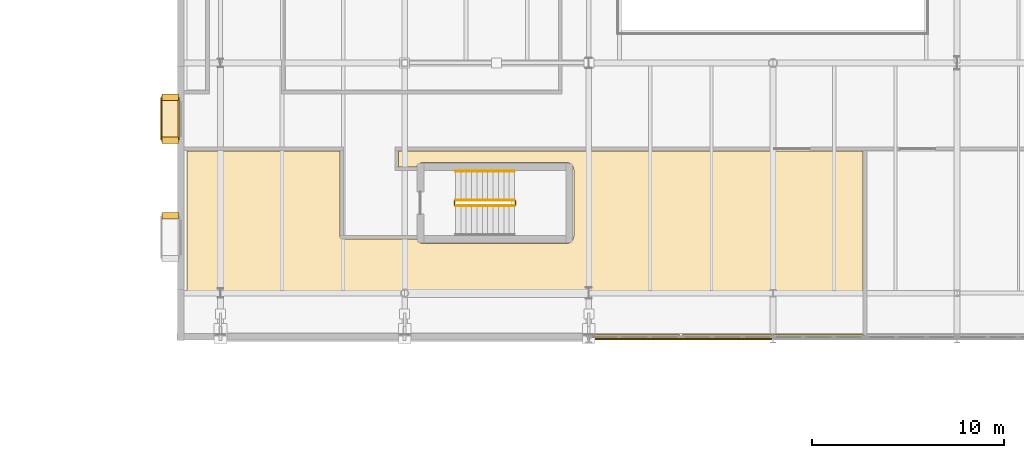
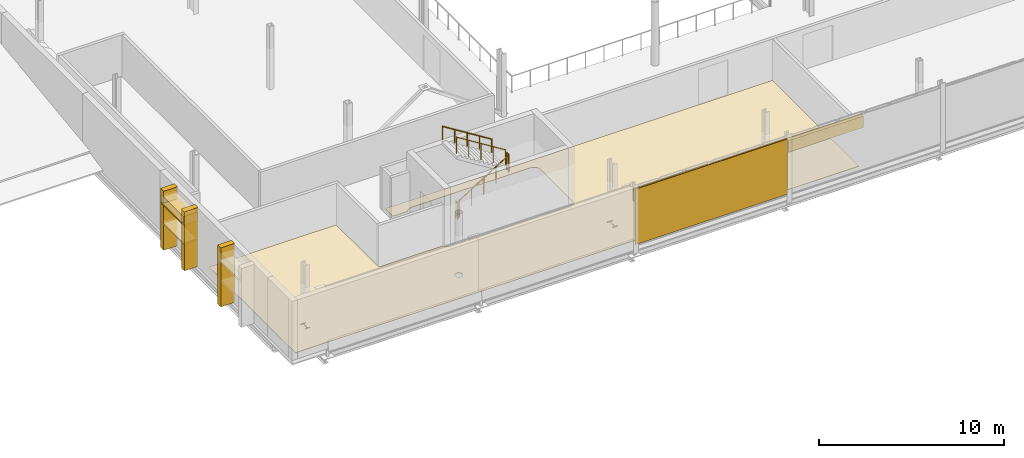
# One storey, part 77 of 90: 9 coverings, 5 railings, 2 shading devices.
"""IFC4 building model written with IfcOpenShell, lengths in metres."""

from ifc_helpers import new_model, si_unit, direction, frame, origin, origin_2d, place, context, subcontext, project, spatial, polyline, rectangle, circle, outline, extrude, material, layer, layer_set, type_object, element, save


model = new_model("IFC4")

# Units and contexts
model_context = context("Model", 3, precision=1e-05, world=origin(), true_north=direction((0.0, 1.0)))
body_context = subcontext(model_context, "Body", "Model", "MODEL_VIEW")
ifc_project = project(units=[si_unit("LENGTHUNIT", "METRE"), si_unit("AREAUNIT", "SQUARE_METRE"), si_unit("VOLUMEUNIT", "CUBIC_METRE"), si_unit("PLANEANGLEUNIT", "RADIAN"), si_unit("MASSUNIT", "GRAM", prefix="KILO")], contexts=[model_context])

# Site, building, storey
site_placement = place(None, origin())
site = spatial("IfcSite", under=ifc_project, at=site_placement, CompositionType="ELEMENT")
building_placement = place(site_placement, origin())
building = spatial("IfcBuilding", under=site, at=building_placement, Name="Zereglee Splitstone Museum", CompositionType="ELEMENT")
storey_placement = place(building_placement, frame((0.0, 0.0, 4.800048828125)))
storey = spatial("IfcBuildingStorey", under=building, at=storey_placement, Name="L01", CompositionType="ELEMENT", Elevation=4.800048828125)

# Coverings
ifc_material_1 = material(Name="Honed Gobi pale limestone stringcourse and soffit cladding", Category="masonry")
ifc_layer_1 = layer(ifc_material_1, 0.070068359375)
ifc_layer_set_1 = layer_set([ifc_layer_1], Name="Honed Gobi pale limestone stringcourse and soffit cladding")
covering_type_1 = type_object("IfcCoveringType", Name="CL-02", PredefinedType="CLADDING", material=ifc_layer_set_1)
for number, where, z_axis, x_axis, name in (
    (1, (75.375, 19.81005859375, 0.0), (0.0, 0.0, 1.0), (0.0, -1.0, 0.0), "Mughal Window Reveal Stone Pilaster L01-0034L"),
    (2, (75.375, 17.570068359375, 0.0), (0.0, 0.0, 1.0), (0.0, -1.0, 0.0), "Mughal Window Reveal Stone Pilaster L01-0034R"),
):
    element("IfcCovering", number, at=place(storey_placement, frame(where, z_axis=z_axis, x_axis=x_axis)), inside=storey, type_object=covering_type_1, Name=name, PredefinedType="CLADDING", context=body_context, shape_type="SweptSolid", body=[
        extrude(rectangle(XDim=0.340087890625, YDim=0.860107421875, at=origin_2d()), origin(), (0.0, 0.0, 1.0), 3.89990234375),
    ])
covering_1_placement = place(storey_placement, frame((75.364990234375, 18.68994140625, 1.659912109375), z_axis=(0.0, 0.0, 1.0), x_axis=(0.0, -1.0, 0.0)))
element("IfcCovering", 3, at=covering_1_placement, inside=storey, type_object=covering_type_1, Name="Carved Limestone Window Sill L01-0034", PredefinedType="CLADDING", context=body_context, shape_type="SweptSolid", body=[
    extrude(rectangle(XDim=2.43994140625, YDim=0.840087890625, at=origin_2d()), origin(), (0.0, 0.0, 1.0), 0.1201171875),
])
covering_2_placement = place(storey_placement, frame((75.375, 13.6298828125, 0.0), z_axis=(0.0, 0.0, 1.0), x_axis=(0.0, -1.0, 0.0)))
element("IfcCovering", 4, at=covering_2_placement, inside=storey, type_object=covering_type_1, Name="Mughal Window Reveal Stone Pilaster L01-0035L", PredefinedType="CLADDING", context=body_context, shape_type="SweptSolid", body=[
    extrude(rectangle(XDim=0.340087890625, YDim=0.860107421875, at=origin_2d()), origin(), (0.0, 0.0, 1.0), 3.89990234375),
])
for number, where, z_axis, x_axis, name in (
    (5, (99.580078125, 7.320068359375, 2.925048828125), (0.0, 0.0, 1.0), (1.0, 0.0, 0.0), "Mughal Carved Clerestory Jaali Frieze RC4-CW-L01-099-1"),
    (6, (104.419921875, 7.320068359375, 2.905029296875), (0.0, 0.0, 1.0), (1.0, 0.0, 0.0), "Mughal Carved Clerestory Jaali Frieze RC4-CW-L01-099-2"),
    (7, (109.179931640625, 7.320068359375, 2.864990234375), (0.0, 0.0, 1.0), (1.0, 0.0, 0.0), "Mughal Carved Clerestory Jaali Frieze RC4-CW-L01-100-1"),
):
    element("IfcCovering", number, at=place(storey_placement, frame(where, z_axis=z_axis, x_axis=x_axis)), inside=storey, type_object=covering_type_1, Name=name, PredefinedType="CLADDING", context=body_context, shape_type="SweptSolid", body=[
        extrude(rectangle(XDim=4.679931640625, YDim=0.239990234375, at=origin_2d()), origin(), (0.0, 0.0, 1.0), 0.75),
    ])
ifc_material_2 = material(Name="Honed Khoroo red sandstone ventilated rainscreen", Category="masonry")
ifc_layer_2 = layer(ifc_material_2, 0.080078125)
ifc_layer_set_2 = layer_set([ifc_layer_2], Name="Honed Khoroo red sandstone ventilated rainscreen")
covering_type_2 = type_object("IfcCoveringType", Name="CL-01", PredefinedType="CLADDING", material=ifc_layer_set_2)
covering_3_placement = place(storey_placement, frame((75.364990234375, 18.68994140625, 2.9599609375), z_axis=(0.0, 0.0, 1.0), x_axis=(0.0, -1.0, 0.0)))
element("IfcCovering", 8, at=covering_3_placement, inside=storey, type_object=covering_type_2, Name="Pointed-Arch Mughal Window Hood L01-0034", PredefinedType="CLADDING", context=body_context, shape_type="SweptSolid", body=[
    extrude(rectangle(XDim=2.43994140625, YDim=0.860107421875, at=origin_2d()), origin(), (0.0, 0.0, 1.0), 0.580078125),
])
ifc_material_3 = material(Name="Honed Gobi granite terrazzo flooring", Category="masonry")
ifc_layer_3 = layer(ifc_material_3, 0.030029296875)
ifc_layer_set_3 = layer_set([ifc_layer_3], Name="Honed Gobi granite terrazzo flooring")
covering_type_3 = type_object("IfcCoveringType", Name="FLR-01", PredefinedType="FLOORING", material=ifc_layer_set_3)
covering_4_placement = place(storey_placement, origin())
element("IfcCovering", 9, at=covering_4_placement, inside=storey, type_object=covering_type_3, Name="Terrazzo Gallery Flooring L01-014", PredefinedType="FLOORING", context=body_context, shape_type="SweptSolid", body=[
    extrude(outline(polyline([(87.280029296875, 17.02001953125), (111.5, 17.02001953125), (111.5, 7.659912109375), (76.260009765625, 7.659912109375), (76.260009765625, 17.02001953125), (84.219970703125, 17.02001953125), (84.219970703125, 12.60009765625), (84.219970703125, 12.59912109375), (84.220703125, 12.583251953125), (84.220947265625, 12.581298828125), (84.223388671875, 12.56591796875), (84.2236328125, 12.56396484375), (84.2275390625, 12.548583984375), (84.22802734375, 12.546875), (84.2333984375, 12.531982421875), (84.234130859375, 12.5302734375), (84.24072265625, 12.51611328125), (84.24169921875, 12.514404296875), (84.249755859375, 12.500732421875), (84.2509765625, 12.499267578125), (84.26025390625, 12.486572265625), (84.261474609375, 12.485107421875), (84.27197265625, 12.473388671875), (84.2734375, 12.471923828125), (84.28515625, 12.46142578125), (84.28662109375, 12.460205078125), (84.29931640625, 12.450927734375), (84.30078125, 12.44970703125), (84.314208984375, 12.441650390625), (84.31591796875, 12.44091796875), (84.330078125, 12.43408203125), (84.33203125, 12.433349609375), (84.3466796875, 12.427978515625), (84.3486328125, 12.427490234375), (84.364013671875, 12.423583984375), (84.365966796875, 12.42333984375), (84.38134765625, 12.4208984375), (84.38330078125, 12.4208984375), (84.39892578125, 12.419921875), (84.39990234375, 12.419921875), (88.22119140625, 12.419921875), (88.2294921875, 12.402099609375), (88.250732421875, 12.36669921875), (88.275390625, 12.33349609375), (88.302978515625, 12.302978515625), (88.33349609375, 12.275390625), (88.36669921875, 12.250732421875), (88.402099609375, 12.2294921875), (88.439208984375, 12.2119140625), (88.47802734375, 12.197998046875), (88.51806640625, 12.18798828125), (88.558837890625, 12.181884765625), (88.60009765625, 12.179931640625), (96.0, 12.179931640625), (96.041259765625, 12.181884765625), (96.081787109375, 12.18798828125), (96.121826171875, 12.197998046875), (96.16064453125, 12.2119140625), (96.197998046875, 12.2294921875), (96.2333984375, 12.250732421875), (96.266357421875, 12.275390625), (96.297119140625, 12.302978515625), (96.32470703125, 12.33349609375), (96.34912109375, 12.36669921875), (96.370361328125, 12.402099609375), (96.387939453125, 12.439208984375), (96.40185546875, 12.47802734375), (96.411865234375, 12.51806640625), (96.41796875, 12.558837890625), (96.419921875, 12.60009765625), (96.419921875, 16.0), (96.41796875, 16.041259765625), (96.411865234375, 16.081787109375), (96.40185546875, 16.121826171875), (96.387939453125, 16.16064453125), (96.370361328125, 16.197998046875), (96.34912109375, 16.2333984375), (96.32470703125, 16.266357421875), (96.297119140625, 16.297119140625), (96.266357421875, 16.32470703125), (96.2333984375, 16.34912109375), (96.197998046875, 16.370361328125), (96.16064453125, 16.387939453125), (96.121826171875, 16.40185546875), (96.081787109375, 16.411865234375), (96.041259765625, 16.41796875), (96.0, 16.419921875), (88.60009765625, 16.419921875), (88.558837890625, 16.41796875), (88.51806640625, 16.411865234375), (88.47802734375, 16.40185546875), (88.439208984375, 16.387939453125), (88.402099609375, 16.370361328125), (88.36669921875, 16.34912109375), (88.33349609375, 16.32470703125), (88.302978515625, 16.297119140625), (88.275390625, 16.266357421875), (88.250732421875, 16.2333984375), (88.2294921875, 16.197998046875), (88.22119140625, 16.179931640625), (87.280029296875, 16.179931640625), (87.280029296875, 17.02001953125)]), holes=[polyline([(78.157958984375, 9.85791015625), (77.842041015625, 9.85791015625), (77.842041015625, 9.81396484375), (77.98486328125, 9.81396484375), (77.98486328125, 9.385986328125), (77.842041015625, 9.385986328125), (77.842041015625, 9.342041015625), (78.157958984375, 9.342041015625), (78.157958984375, 9.385986328125), (78.01513671875, 9.385986328125), (78.01513671875, 9.81396484375), (78.157958984375, 9.81396484375), (78.157958984375, 9.85791015625)]), polyline([(97.35791015625, 9.907958984375), (97.0419921875, 9.907958984375), (97.0419921875, 9.862060546875), (97.184326171875, 9.862060546875), (97.184326171875, 9.337890625), (97.0419921875, 9.337890625), (97.0419921875, 9.2919921875), (97.35791015625, 9.2919921875), (97.35791015625, 9.337890625), (97.2158203125, 9.337890625), (97.2158203125, 9.862060546875), (97.35791015625, 9.862060546875), (97.35791015625, 9.907958984375)]), polyline([(106.9580078125, 9.7880859375), (106.64208984375, 9.7880859375), (106.64208984375, 9.74951171875), (106.78564453125, 9.74951171875), (106.78564453125, 9.450439453125), (106.64208984375, 9.450439453125), (106.64208984375, 9.412109375), (106.9580078125, 9.412109375), (106.9580078125, 9.450439453125), (106.814208984375, 9.450439453125), (106.814208984375, 9.74951171875), (106.9580078125, 9.74951171875), (106.9580078125, 9.7880859375)]), polyline([(87.680908203125, 9.40478515625), (87.71728515625, 9.42431640625), (87.749267578125, 9.45068359375), (87.775634765625, 9.482666015625), (87.795166015625, 9.519287109375), (87.80712890625, 9.558837890625), (87.811279296875, 9.60009765625), (87.80712890625, 9.64111328125), (87.795166015625, 9.680908203125), (87.775634765625, 9.71728515625), (87.749267578125, 9.749267578125), (87.71728515625, 9.775634765625), (87.680908203125, 9.795166015625), (87.64111328125, 9.80712890625), (87.60009765625, 9.811279296875), (87.558837890625, 9.80712890625), (87.519287109375, 9.795166015625), (87.482666015625, 9.775634765625), (87.45068359375, 9.749267578125), (87.42431640625, 9.71728515625), (87.40478515625, 9.680908203125), (87.392822265625, 9.64111328125), (87.388916015625, 9.60009765625), (87.392822265625, 9.558837890625), (87.40478515625, 9.519287109375), (87.42431640625, 9.482666015625), (87.45068359375, 9.45068359375), (87.482666015625, 9.42431640625), (87.519287109375, 9.40478515625), (87.558837890625, 9.392822265625), (87.60009765625, 9.388916015625), (87.64111328125, 9.392822265625), (87.680908203125, 9.40478515625)])]), origin(), (0.0, 0.0, 1.0), 0.030029296875),
])

# Railings
ifc_material_4 = material(Name="Painted steel S355J2 post-and-baluster guard", Category="steel")
railing_type_1 = type_object("IfcRailingType", Name="GR-03", PredefinedType="BALUSTRADE", material=ifc_material_4)
railing_1_placement = place(storey_placement, frame((90.25, 14.14990234375, 0.175048828125)))
element("IfcRailing", 10, at=railing_1_placement, inside=storey, type_object=railing_type_1, Name="L01 ST-06 stair guard 1", PredefinedType="BALUSTRADE", context=body_context, shape_type="SweptSolid", body=[
    extrude(circle(Radius=0.02392578125, at=origin_2d()), frame((0.0, 0.0, 1.076416015625), z_axis=(0.848028513186, 0.0, 0.529950602248), x_axis=(0.0, 1.0, 0.0)), (0.0, 0.0, 1.0), 3.632080078125),
    extrude(circle(Radius=0.02099609375, at=origin_2d()), origin(), (0.0, 0.0, 1.0), 1.052001953125),
    extrude(circle(Radius=0.02099609375, at=origin_2d()), frame((0.77001953125, 0.0, 0.481201171875)), (0.0, 0.0, 1.0), 1.052001953125),
    extrude(circle(Radius=0.02099609375, at=origin_2d()), frame((1.5400390625, 0.0, 0.96240234375)), (0.0, 0.0, 1.0), 1.052001953125),
    extrude(circle(Radius=0.02099609375, at=origin_2d()), frame((2.31005859375, 0.0, 1.443603515625)), (0.0, 0.0, 1.0), 1.052001953125),
    extrude(circle(Radius=0.02099609375, at=origin_2d()), frame((3.080078125, 0.0, 1.9248046875)), (0.0, 0.0, 1.0), 1.052001953125),
])
railing_2_placement = place(storey_placement, frame((93.3798828125, 14.199951171875, 2.099853515625)))
element("IfcRailing", 11, at=railing_2_placement, inside=storey, type_object=railing_type_1, Name="L01 ST-06 stair guard 2", PredefinedType="BALUSTRADE", context=body_context, shape_type="SweptSolid", body=[
    extrude(circle(Radius=0.02392578125, at=origin_2d()), frame((0.0, 0.0, 1.076416015625), z_axis=(0.0, 1.0, 0.0), x_axis=(-1.0, 0.0, 0.0)), (0.0, 0.0, 1.0), 0.199951171875),
    extrude(circle(Radius=0.02099609375, at=origin_2d()), origin(), (0.0, 0.0, 1.0), 1.052001953125),
    extrude(circle(Radius=0.02099609375, at=origin_2d()), frame((0.0, 0.199951171875, 0.0)), (0.0, 0.0, 1.0), 1.052001953125),
])
railing_3_placement = place(storey_placement, frame((93.330078125, 14.449951171875, 2.27490234375)))
element("IfcRailing", 12, at=railing_3_placement, inside=storey, type_object=railing_type_1, Name="L01 ST-06 stair guard 3", PredefinedType="BALUSTRADE", context=body_context, shape_type="SweptSolid", body=[
    extrude(circle(Radius=0.02392578125, at=origin_2d()), frame((0.0, 0.0, 1.076416015625), z_axis=(-0.847998304005, 0.0, 0.529998940003), x_axis=(0.0, -1.0, 0.0)), (0.0, 0.0, 1.0), 3.632080078125),
    extrude(circle(Radius=0.02099609375, at=origin_2d()), origin(), (0.0, 0.0, 1.0), 1.052001953125),
    extrude(circle(Radius=0.02099609375, at=origin_2d()), frame((-0.77001953125, 0.0, 0.481201171875)), (0.0, 0.0, 1.0), 1.052001953125),
    extrude(circle(Radius=0.02099609375, at=origin_2d()), frame((-1.5400390625, 0.0, 0.96240234375)), (0.0, 0.0, 1.0), 1.052001953125),
    extrude(circle(Radius=0.02099609375, at=origin_2d()), frame((-2.31005859375, 0.0, 1.44384765625)), (0.0, 0.0, 1.0), 1.052001953125),
    extrude(circle(Radius=0.02099609375, at=origin_2d()), frame((-3.080078125, 0.0, 1.925048828125)), (0.0, 0.0, 1.0), 1.052001953125),
])
railing_4_placement = place(storey_placement, frame((90.199951171875, 14.199951171875, 0.0)))
element("IfcRailing", 13, at=railing_4_placement, inside=storey, type_object=railing_type_1, Name="L01 ST-06 stair guard 4", PredefinedType="BALUSTRADE", context=body_context, shape_type="SweptSolid", body=[
    extrude(circle(Radius=0.02392578125, at=origin_2d()), frame((0.0, 0.0, 1.076416015625), z_axis=(0.0, 1.0, 0.0), x_axis=(-1.0, 0.0, 0.0)), (0.0, 0.0, 1.0), 0.199951171875),
    extrude(circle(Radius=0.02099609375, at=origin_2d()), origin(), (0.0, 0.0, 1.0), 1.052001953125),
    extrude(circle(Radius=0.02099609375, at=origin_2d()), frame((0.0, 0.199951171875, 0.0)), (0.0, 0.0, 1.0), 1.052001953125),
])
ifc_material_5 = material(Name="Architectural bronze tubular handrail", Category="steel")
railing_type_2 = type_object("IfcRailingType", Name="HR-01", PredefinedType="HANDRAIL", material=ifc_material_5)
railing_5_placement = place(storey_placement, frame((93.330078125, 15.949951171875, 2.27490234375)))
element("IfcRailing", 14, at=railing_5_placement, inside=storey, type_object=railing_type_2, Name="L01 ST-06 stair handrail 2", PredefinedType="HANDRAIL", context=body_context, shape_type="SweptSolid", body=[
    extrude(circle(Radius=0.02392578125, at=origin_2d()), frame((0.0, 0.0, 0.8759765625), z_axis=(-0.847998304005, 0.0, 0.529998940003), x_axis=(0.0, -1.0, 0.0)), (0.0, 0.0, 1.0), 3.632080078125),
    extrude(circle(Radius=0.02099609375, at=origin_2d()), origin(), (0.0, 0.0, 1.0), 0.851806640625),
    extrude(circle(Radius=0.02099609375, at=origin_2d()), frame((-0.77001953125, 0.0, 0.481201171875)), (0.0, 0.0, 1.0), 0.851806640625),
    extrude(circle(Radius=0.02099609375, at=origin_2d()), frame((-1.5400390625, 0.0, 0.96240234375)), (0.0, 0.0, 1.0), 0.851806640625),
    extrude(circle(Radius=0.02099609375, at=origin_2d()), frame((-2.31005859375, 0.0, 1.44384765625)), (0.0, 0.0, 1.0), 0.851806640625),
    extrude(circle(Radius=0.02099609375, at=origin_2d()), frame((-3.080078125, 0.0, 1.925048828125)), (0.0, 0.0, 1.0), 0.851806640625),
])

# Shading devices
ifc_material_6 = material(Name="Patinated architectural bronze CuSn8 geometric jali screen")
ifc_layer_4 = layer(ifc_material_6, 0.06005859375)
ifc_layer_set_4 = layer_set([ifc_layer_4], Name="Patinated architectural bronze CuSn8 geometric jali screen")
shading_device_type_1 = type_object("IfcShadingDeviceType", Name="JL-01", PredefinedType="USERDEFINED", material=ifc_layer_set_4)
shading_device_1_placement = place(storey_placement, frame((97.25, 7.239990234375, 0.119873046875), z_axis=(0.0, -1.0, 0.0), x_axis=(1.0, 0.0, 0.0)))
element("IfcShadingDevice", 15, at=shading_device_1_placement, inside=storey, type_object=shading_device_type_1, Name="Bronze Mughal Jali Screen 16", ObjectType="SCREEN", PredefinedType="USERDEFINED", context=body_context, shape_type="SweptSolid", body=[
    extrude(outline(polyline([(0.0, 0.0), (9.5, 0.0), (9.5, 3.66015625), (0.0, 3.66015625), (0.0, 0.0)])), origin(), (0.0, 0.0, 1.0), 0.06005859375),
])
ifc_material_7 = material(Name="Anodised bronze extruded aluminium chhajja brise-soleil", Category="aluminium")
ifc_layer_5 = layer(ifc_material_7, 0.080078125)
ifc_layer_set_5 = layer_set([ifc_layer_5], Name="Anodised bronze extruded aluminium chhajja brise-soleil")
shading_device_type_2 = type_object("IfcShadingDeviceType", Name="SH-01", PredefinedType="SHUTTER", material=ifc_layer_set_5)
shading_device_2_placement = place(storey_placement, frame((75.364990234375, 18.68994140625, 3.039794921875), z_axis=(0.0, 0.0, 1.0), x_axis=(0.0, -1.0, 0.0)))
element("IfcShadingDevice", 16, at=shading_device_2_placement, inside=storey, type_object=shading_device_type_2, Name="Chhajja Window Brise-Soleil 21", PredefinedType="SHUTTER", context=body_context, shape_type="SweptSolid", body=[
    extrude(rectangle(XDim=2.199951171875, YDim=0.97998046875, at=origin_2d()), origin(), (0.0, 0.0, 1.0), 0.080078125),
])

save(model, "model.ifc")
